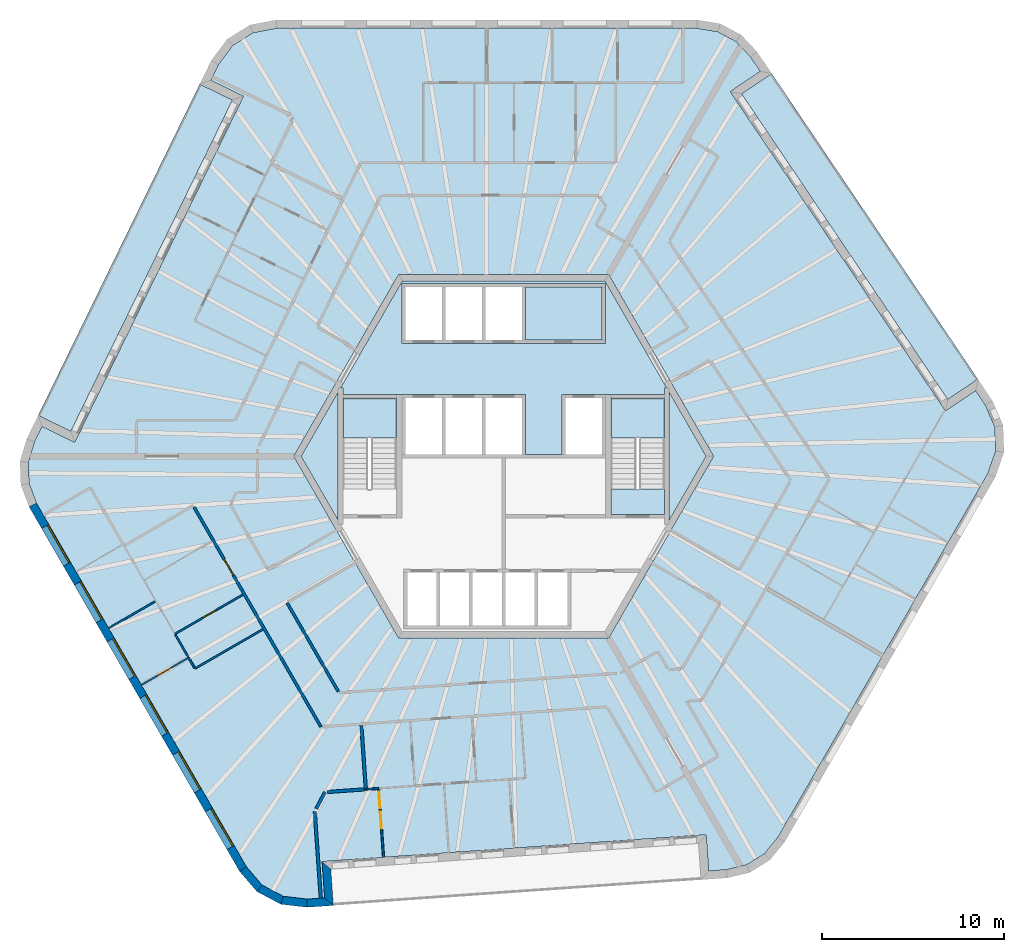
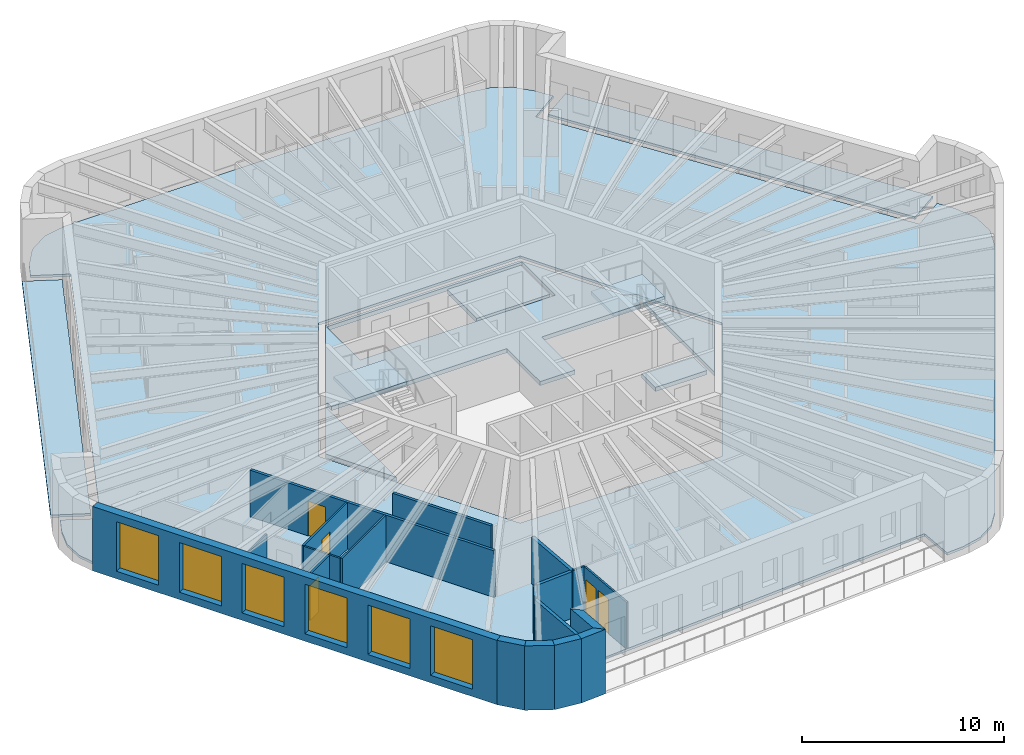
# One storey, part 2 of 11: 20 walls, 10 slabs, 6 windows, 5 doors, 11 openings, 2 elements without a shape of their own.
"""IFC4 building model written with IfcOpenShell, lengths in metres."""

from ifc_helpers import new_model, si_unit, direction, frame, frame_2d, origin, place, context, subcontext, project, spatial, polyline, rectangle, outline, extrude, material, layer, layer_set, type_object, element, fill, aggregate, save


model = new_model("IFC4")

# Units and contexts
model_context = context("Model", 3, precision=1e-05, world=origin(), true_north=direction((0.0, 1.0)))
body_context = subcontext(model_context, "Body", "Model", "MODEL_VIEW")
ifc_project = project(units=[si_unit("LENGTHUNIT", "METRE"), si_unit("AREAUNIT", "SQUARE_METRE"), si_unit("VOLUMEUNIT", "CUBIC_METRE"), si_unit("PLANEANGLEUNIT", "RADIAN"), si_unit("MASSUNIT", "GRAM", prefix="KILO")], contexts=[model_context])

# Site, building, storey
site_placement = place(None, origin())
site = spatial("IfcSite", under=ifc_project, at=site_placement, CompositionType="ELEMENT")
building_placement = place(site_placement, origin())
building = spatial("IfcBuilding", under=site, at=building_placement, Name="Tarnside Tower", CompositionType="ELEMENT")
storey_placement = place(building_placement, frame((0.0, 0.0, 365.10009765625)))
storey = spatial("IfcBuildingStorey", under=building, at=storey_placement, Name="L88", CompositionType="ELEMENT", Elevation=365.10009765625)

# Slabs
ifc_material_1 = material(Name="Concrete C35/45", Category="concrete")
ifc_layer_1 = layer(ifc_material_1, 0.14990234375)
ifc_layer_set_1 = layer_set([ifc_layer_1], Name="Composite floor slab 150")
slab_type_1 = type_object("IfcSlabType", Name="Composite floor slab 150", PredefinedType="FLOOR", material=ifc_layer_set_1)
slab_1_placement = place(storey_placement, frame((0.0, 0.0, -0.150146484375)))
element("IfcSlab", 1, at=slab_1_placement, inside=storey, type_object=slab_type_1, Name="Floor slab L88", PredefinedType="FLOOR", context=body_context, shape_type="SweptSolid", body=[
    extrude(outline(polyline([(11.769287109375, 23.3603515625), (12.785400390625, 22.8203125), (13.58740234375, 21.969970703125), (14.12255859375, 21.1767578125), (12.46435546875, 20.058349609375), (24.30908203125, 2.498046875), (25.967041015625, 3.616455078125), (26.50048828125, 2.82568359375), (27.02880859375, 1.6005859375), (27.07470703125, 0.288818359375), (26.633056640625, -0.97021484375), (15.0869140625, -20.968505859375), (14.345947265625, -21.872802734375), (13.370361328125, -22.482421875), (12.232666015625, -22.752197265625), (11.2783203125, -22.81884765625), (11.138916015625, -20.82373046875), (-9.9912109375, -22.30126953125), (-9.8515625, -24.29638671875), (-10.80322265625, -24.36279296875), (-12.12841796875, -24.2080078125), (-13.287353515625, -23.591796875), (-14.15673828125, -22.579833984375), (-25.702880859375, -2.581298828125), (-26.115478515625, -1.487548828125), (-26.155517578125, -0.337890625), (-25.8203125, 0.7822265625), (-25.40087890625, 1.64208984375), (-23.603271484375, 0.765380859375), (-14.31787109375, 19.80322265625), (-16.115478515625, 20.679931640625), (-15.697265625, 21.537353515625), (-14.900634765625, 22.607421875), (-13.787353515625, 23.302978515625), (-12.476318359375, 23.550048828125), (10.61572265625, 23.550048828125), (11.769287109375, 23.3603515625)]), holes=[polyline([(-11.547119140625, 0.0), (-5.7734375, -10.0), (5.7734375, -10.0), (11.547119140625, 0.0), (5.7734375, 10.0), (-5.7734375, 10.0), (-11.547119140625, 0.0)])]), origin(), (0.0, 0.0, 1.0), 0.150146484375),
])
ifc_material_2 = material(Name="Concrete C40/50", Category="concrete")
ifc_layer_2 = layer(ifc_material_2, 0.25)
ifc_layer_set_2 = layer_set([ifc_layer_2], Name="Core slab C40/50")
slab_type_2 = type_object("IfcSlabType", Name="Core slab C40/50", PredefinedType="FLOOR", material=ifc_layer_set_2)
slab_2_placement = place(storey_placement, frame((0.0, 0.0, -0.25)))
element("IfcSlab", 2, at=slab_2_placement, inside=storey, type_object=slab_type_2, Name="L88 core floor slab 1", PredefinedType="FLOOR", context=body_context, shape_type="SweptSolid", body=[
    extrude(outline(polyline([(5.5712890625, 9.64990234375), (8.97509765625, 3.7548828125), (8.85009765625, 3.7548828125), (8.85009765625, 3.39990234375), (5.89990234375, 3.39990234375), (5.60009765625, 3.39990234375), (3.39990234375, 3.39990234375), (3.199951171875, 3.39990234375), (3.199951171875, 0.10009765625), (1.199951171875, 0.10009765625), (1.199951171875, 3.39990234375), (1.0, 3.39990234375), (-5.60009765625, 3.39990234375), (-5.89990234375, 3.39990234375), (-8.85009765625, 3.39990234375), (-8.85009765625, 3.7548828125), (-8.97509765625, 3.7548828125), (-5.5712890625, 9.64990234375), (5.5712890625, 9.64990234375)]), holes=[polyline([(-5.60009765625, 6.199951171875), (5.60009765625, 6.199951171875), (5.60009765625, 6.39990234375), (5.60009765625, 9.300048828125), (5.60009765625, 9.5), (-5.60009765625, 9.5), (-5.60009765625, 9.300048828125), (-5.60009765625, 6.39990234375), (-5.60009765625, 6.199951171875)])]), origin(), (0.0, 0.0, 1.0), 0.25),
])
slab_3_placement = place(storey_placement, frame((0.0, 0.0, -0.25)))
element("IfcSlab", 3, at=slab_3_placement, inside=storey, type_object=slab_type_2, Name="L88 core floor slab 2", PredefinedType="FLOOR", context=body_context, shape_type="SweptSolid", body=[
    extrude(outline(polyline([(-9.10009765625, -3.538330078125), (-11.142822265625, 0.0), (-9.10009765625, 3.538330078125), (-9.10009765625, -3.538330078125)])), origin(), (0.0, 0.0, 1.0), 0.25),
])
slab_4_placement = place(storey_placement, frame((0.0, 0.0, -0.25)))
element("IfcSlab", 4, at=slab_4_placement, inside=storey, type_object=slab_type_2, Name="L88 core floor slab 4", PredefinedType="FLOOR", context=body_context, shape_type="SweptSolid", body=[
    extrude(outline(polyline([(9.10009765625, 3.538330078125), (11.142822265625, 0.0), (9.10009765625, -3.538330078125), (9.10009765625, 3.538330078125)])), origin(), (0.0, 0.0, 1.0), 0.25),
])
slab_5_placement = place(storey_placement, frame((0.0, 0.0, -0.25)))
element("IfcSlab", 5, at=slab_5_placement, inside=storey, type_object=slab_type_2, Name="L88 core floor slab 6", PredefinedType="FLOOR", context=body_context, shape_type="SweptSolid", body=[
    extrude(outline(polyline([(5.89990234375, -1.800048828125), (8.85009765625, -1.800048828125), (8.85009765625, -3.199951171875), (5.89990234375, -3.199951171875), (5.89990234375, -1.800048828125)])), origin(), (0.0, 0.0, 1.0), 0.25),
])
slab_6_placement = place(storey_placement, frame((0.0, 0.0, -0.25)))
element("IfcSlab", 6, at=slab_6_placement, inside=storey, type_object=slab_type_2, Name="L88 core floor slab 7", PredefinedType="FLOOR", context=body_context, shape_type="SweptSolid", body=[
    extrude(outline(polyline([(5.39990234375, 6.39990234375), (1.199951171875, 6.39990234375), (1.199951171875, 9.300048828125), (5.39990234375, 9.300048828125), (5.39990234375, 6.39990234375)])), origin(), (0.0, 0.0, 1.0), 0.25),
])
ifc_material_3 = material(Name="Timber decking", Category="wood")
ifc_layer_3 = layer(ifc_material_3, 0.0400390625)
ifc_material_4 = material(Name="Concrete C60/75 precast", Category="concrete")
ifc_layer_4 = layer(ifc_material_4, 0.110107421875)
ifc_layer_set_3 = layer_set([ifc_layer_3, ifc_layer_4], Name="Loggia deck 150")
slab_type_3 = type_object("IfcSlabType", Name="Loggia deck 150", PredefinedType="FLOOR", material=ifc_layer_set_3)
slab_7_placement = place(storey_placement, frame((0.0, 0.0, -0.150146484375)))
element("IfcSlab", 7, at=slab_7_placement, inside=storey, type_object=slab_type_3, Name="Loggia deck L88 F2", PredefinedType="FLOOR", context=body_context, shape_type="SweptSolid", body=[
    extrude(outline(polyline([(-14.919677734375, 19.595947265625), (-23.810546875, 1.366943359375), (-25.608154296875, 2.24365234375), (-16.71728515625, 20.47265625), (-14.919677734375, 19.595947265625)])), origin(), (0.0, 0.0, 1.0), 0.150146484375),
])
slab_8_placement = place(storey_placement, frame((0.0, 0.0, -0.150146484375)))
element("IfcSlab", 8, at=slab_8_placement, inside=storey, type_object=slab_type_3, Name="Loggia deck L88 F6", PredefinedType="FLOOR", context=body_context, shape_type="SweptSolid", body=[
    extrude(outline(polyline([(24.430419921875, 3.122802734375), (13.089111328125, 19.93701171875), (14.7470703125, 21.055419921875), (26.088623046875, 4.2412109375), (24.430419921875, 3.122802734375)])), origin(), (0.0, 0.0, 1.0), 0.150146484375),
])

# Stair, slab
stair_type = type_object("IfcStairType", Name="Exit stair 1400 clear", PredefinedType="HALF_TURN_STAIR", material=ifc_material_2)
stair_1_placement = place(storey_placement, origin())
stair_1 = element("IfcStair", 9, at=stair_1_placement, inside=storey, type_object=stair_type, Name="L88 Exit stair 1", PredefinedType="HALF_TURN_STAIR")
ifc_layer_5 = layer(ifc_material_2, 0.199951171875)
ifc_layer_set_4 = layer_set([ifc_layer_5], Name="Stair landing 200 C40/50")
slab_type_4 = type_object("IfcSlabType", Name="Stair landing 200 C40/50", PredefinedType="LANDING", material=ifc_layer_set_4)
slab_9_placement = place(storey_placement, frame((0.0, 0.0, 1.75)))
slab_9 = element("IfcSlab", 10, at=slab_9_placement, type_object=slab_type_4, Name="ST1 landing 1", PredefinedType="LANDING", context=body_context, shape_type="SweptSolid", body=[
    extrude(outline(polyline([(8.85009765625, 1.0), (8.85009765625, 3.199951171875), (5.89990234375, 3.199951171875), (5.89990234375, 1.0), (8.85009765625, 1.0)])), origin(), (0.0, 0.0, 1.0), 0.199951171875),
])
aggregate(stair_1, [slab_9])

stair_2_placement = place(storey_placement, origin())
stair_2 = element("IfcStair", 11, at=stair_2_placement, inside=storey, type_object=stair_type, Name="L88 Exit stair 2", PredefinedType="HALF_TURN_STAIR")
slab_10_placement = place(storey_placement, frame((0.0, 0.0, 1.75)))
slab_10 = element("IfcSlab", 12, at=slab_10_placement, type_object=slab_type_4, Name="ST2 landing 1", PredefinedType="LANDING", context=body_context, shape_type="SweptSolid", body=[
    extrude(outline(polyline([(-5.89990234375, 1.0), (-5.89990234375, 3.199951171875), (-8.85009765625, 3.199951171875), (-8.85009765625, 1.0), (-5.89990234375, 1.0)])), origin(), (0.0, 0.0, 1.0), 0.199951171875),
])
aggregate(stair_2, [slab_10])

# Walls
ifc_material_5 = material(Name="Gypsum board partition on steel studs", Category="steel")
ifc_layer_6 = layer(ifc_material_5, 0.10009765625)
ifc_layer_set_5 = layer_set([ifc_layer_6], Name="Bathroom wall 100")
wall_type_1 = type_object("IfcWallType", Name="Bathroom wall 100", PredefinedType="PARTITIONING", material=ifc_layer_set_5)
wall_1_placement = place(storey_placement, frame((-13.238525390625, -9.52001953125, 0.0), z_axis=(0.0, 0.0, 1.0), x_axis=(-0.866018262327, -0.500012369163, 0.0)))
element("IfcWall", 13, at=wall_1_placement, inside=storey, type_object=wall_type_1, Name="Bathroom wall 28101", PredefinedType="PARTITIONING", context=body_context, shape_type="SweptSolid", body=[
    extrude(rectangle(XDim=4.3251953125, YDim=0.10009765625, at=frame_2d((2.16259765625, 0.0))), origin(), (0.0, 0.0, 1.0), 2.81982421875),
])
wall_2_placement = place(storey_placement, frame((-17.00927734375, -11.63916015625, 0.0), z_axis=(0.0, 0.0, 1.0), x_axis=(-0.499962526042, 0.866047038303, 0.0)))
element("IfcWall", 14, at=wall_2_placement, inside=storey, type_object=wall_type_1, Name="Bathroom wall 28102", PredefinedType="PARTITIONING", context=body_context, shape_type="SweptSolid", body=[
    extrude(rectangle(XDim=0.6455078125, YDim=0.10009765625, at=frame_2d((0.32275390625, 0.0))), origin(), (0.0, 0.0, 1.0), 2.81982421875),
])

# Wall, opening, door
wall_3_placement = place(storey_placement, frame((-18.084228515625, -9.77734375, 0.0), z_axis=(0.0, 0.0, 1.0), x_axis=(0.866018262327, 0.500012369163, 0.0)))
wall_3 = element("IfcWall", 15, at=wall_3_placement, inside=storey, type_object=wall_type_1, Name="Bathroom wall 28110", PredefinedType="PARTITIONING", context=body_context, shape_type="SweptSolid", body=[
    extrude(rectangle(XDim=4.3251953125, YDim=0.10009765625, at=frame_2d((2.16259765625, 0.0))), origin(), (0.0, 0.0, 1.0), 2.81982421875),
])
opening_1_placement = place(wall_3_placement, frame((1.800048828125, 0.0, 0.0)))
opening_1 = element("IfcOpeningElement", 16, at=opening_1_placement, cuts=wall_3, Name="Opening D-B1", PredefinedType="OPENING", context=body_context, shape_type="SweptSolid", body=[
    extrude(rectangle(XDim=0.800048828125, YDim=2.10009765625, at=frame_2d((0.39990234375, 1.050048828125))), frame((0.0, 0.06005859375, 0.0), z_axis=(0.0, -1.0, 0.0), x_axis=(1.0, 0.0, 0.0)), (0.0, 0.0, 1.0), 0.1201171875),
])
ifc_material_6 = material(Name="Timber door leaf", Category="wood")
door_type_1 = type_object("IfcDoorType", Name="Bathroom door 800", OperationType="NOTDEFINED", PredefinedType="DOOR", material=ifc_material_6)
door_1_placement = place(opening_1_placement, origin())
door_1 = element("IfcDoor", 17, at=door_1_placement, inside=storey, type_object=door_type_1, Name="Bathroom door 28038", OperationType="SINGLE_SWING_LEFT", OverallHeight=2.10009765625, OverallWidth=0.800048828125, PredefinedType="DOOR", context=body_context, shape_type="SweptSolid", body=[
    extrude(rectangle(XDim=0.800048828125, YDim=2.10009765625, at=frame_2d((0.39990234375, 1.050048828125))), frame((0.0, 0.02490234375, 0.0), z_axis=(0.0, -1.0, 0.0), x_axis=(1.0, 0.0, 0.0)), (0.0, 0.0, 1.0), 0.050048828125),
])
fill(opening_1, door_1)

# Walls
wall_4_placement = place(storey_placement, frame((-17.330078125, -11.08349609375, 0.0), z_axis=(0.0, 0.0, 1.0), x_axis=(-0.499920521767, 0.866071285701, 0.0)))
element("IfcWall", 18, at=wall_4_placement, inside=storey, type_object=wall_type_1, Name="Bathroom wall 28114", PredefinedType="PARTITIONING", context=body_context, shape_type="SweptSolid", body=[
    extrude(rectangle(XDim=1.458251953125, YDim=0.10009765625, at=frame_2d((0.72900390625, 0.0))), origin(), (0.0, 0.0, 1.0), 2.81982421875),
])
wall_5_placement = place(storey_placement, frame((-7.584228515625, -18.32373046875, 0.0), z_axis=(0.0, 0.0, 1.0), x_axis=(0.997553473746, 0.06990756051, 0.0)))
element("IfcWall", 19, at=wall_5_placement, inside=storey, type_object=wall_type_1, Name="Bathroom wall 28122", PredefinedType="PARTITIONING", context=body_context, shape_type="SweptSolid", body=[
    extrude(rectangle(XDim=0.71240234375, YDim=0.10009765625, at=frame_2d((0.356201171875, 0.0))), origin(), (0.0, 0.0, 1.0), 2.81982421875),
])

# Wall, opening, door
ifc_layer_7 = layer(ifc_material_5, 0.14990234375)
ifc_layer_set_6 = layer_set([ifc_layer_7], Name="Corridor wall 150 EI 60")
wall_type_2 = type_object("IfcWallType", Name="Corridor wall 150 EI 60", PredefinedType="PARTITIONING", material=ifc_layer_set_6)
wall_6_placement = place(storey_placement, frame((-17.0361328125, -2.79248046875, 0.0), z_axis=(0.0, 0.0, 1.0), x_axis=(0.500006428338, -0.86602169235, 0.0)))
wall_6 = element("IfcWall", 20, at=wall_6_placement, inside=storey, type_object=wall_type_2, Name="Corridor wall 28026", PredefinedType="PARTITIONING", context=body_context, shape_type="SweptSolid", body=[
    extrude(rectangle(XDim=13.966064453125, YDim=0.14990234375, at=frame_2d((6.98291015625, 0.0))), origin(), (0.0, 0.0, 1.0), 2.81982421875),
])
opening_2_placement = place(wall_6_placement, frame((3.324951171875, 0.0, 0.0)))
opening_2 = element("IfcOpeningElement", 21, at=opening_2_placement, cuts=wall_6, Name="Opening D-E1", PredefinedType="OPENING", context=body_context, shape_type="SweptSolid", body=[
    extrude(rectangle(XDim=1.0, YDim=2.10009765625, at=frame_2d((0.5, 1.050048828125))), frame((0.0, 0.0849609375, 0.0), z_axis=(0.0, -1.0, 0.0), x_axis=(1.0, 0.0, 0.0)), (0.0, 0.0, 1.0), 0.169921875),
])
door_type_2 = type_object("IfcDoorType", Name="Unit entrance door 1000 FD30S", OperationType="NOTDEFINED", PredefinedType="DOOR", material=ifc_material_6)
door_2_placement = place(opening_2_placement, origin())
door_2 = element("IfcDoor", 22, at=door_2_placement, inside=storey, type_object=door_type_2, Name="Unit door 28026", OperationType="SINGLE_SWING_RIGHT", OverallHeight=2.10009765625, OverallWidth=1.0, PredefinedType="DOOR", context=body_context, shape_type="SweptSolid", body=[
    extrude(rectangle(XDim=1.0, YDim=2.10009765625, at=frame_2d((0.5, 1.050048828125))), frame((0.0, 0.02490234375, 0.0), z_axis=(0.0, -1.0, 0.0), x_axis=(1.0, 0.0, 0.0)), (0.0, 0.0, 1.0), 0.050048828125),
])
fill(opening_2, door_2)

# Walls
wall_7_placement = place(storey_placement, frame((-9.098388671875, -12.941162109375, 0.0), z_axis=(0.0, 0.0, 1.0), x_axis=(-0.500009875128, 0.866019702301, 0.0)))
element("IfcWall", 23, at=wall_7_placement, inside=storey, type_object=wall_type_2, Name="Corridor wall 28047", PredefinedType="PARTITIONING", context=body_context, shape_type="SweptSolid", body=[
    extrude(rectangle(XDim=5.63720703125, YDim=0.14990234375, at=frame_2d((2.818603515625, 0.0))), origin(), (0.0, 0.0, 1.0), 2.81982421875),
])
ifc_layer_8 = layer(ifc_material_5, 0.179931640625)
ifc_layer_set_7 = layer_set([ifc_layer_8], Name="Demising wall 180 EI 60")
wall_type_3 = type_object("IfcWallType", Name="Demising wall 180 EI 60", PredefinedType="PARTITIONING", material=ifc_layer_set_7)
wall_8_placement = place(storey_placement, frame((-7.582275390625, -18.323486328125, 0.0), z_axis=(0.0, 0.0, 1.0), x_axis=(-0.069745730407, 0.997564801449, 0.0)))
element("IfcWall", 24, at=wall_8_placement, inside=storey, type_object=wall_type_3, Name="Demising wall 28103", PredefinedType="PARTITIONING", context=body_context, shape_type="SweptSolid", body=[
    extrude(rectangle(XDim=3.52490234375, YDim=0.179931640625, at=frame_2d((1.762451171875, 0.0))), origin(), (0.0, 0.0, 1.0), 2.81982421875),
])
wall_9_placement = place(storey_placement, frame((-10.060302734375, -24.31103515625, 0.0), z_axis=(0.0, 0.0, 1.0), x_axis=(-0.069731958306, 0.997565764244, 0.0)))
element("IfcWall", 25, at=wall_9_placement, inside=storey, type_object=wall_type_3, Name="Demising wall 28104", PredefinedType="PARTITIONING", context=body_context, shape_type="SweptSolid", body=[
    extrude(rectangle(XDim=4.775634765625, YDim=0.179931640625, at=frame_2d((2.3876953125, 0.0))), origin(), (0.0, 0.0, 1.0), 2.81982421875),
])
wall_10_placement = place(storey_placement, frame((-10.313720703125, -19.397216796875, 0.0), z_axis=(0.0, 0.0, 1.0), x_axis=(0.469550580753, 0.882905573725, 0.0)))
element("IfcWall", 26, at=wall_10_placement, inside=storey, type_object=wall_type_3, Name="Demising wall 28105", PredefinedType="PARTITIONING", context=body_context, shape_type="SweptSolid", body=[
    extrude(rectangle(XDim=1.038330078125, YDim=0.179931640625, at=frame_2d((0.51904296875, 0.0))), origin(), (0.0, 0.0, 1.0), 2.81982421875),
])
wall_11_placement = place(storey_placement, frame((-9.720458984375, -18.47314453125, 0.0), z_axis=(0.0, 0.0, 1.0), x_axis=(0.997561859931, 0.069787789844, 0.0)))
element("IfcWall", 27, at=wall_11_placement, inside=storey, type_object=wall_type_3, Name="Demising wall 28106", PredefinedType="PARTITIONING", context=body_context, shape_type="SweptSolid", body=[
    extrude(rectangle(XDim=2.05712890625, YDim=0.179931640625, at=frame_2d((1.028564453125, 0.0))), origin(), (0.0, 0.0, 1.0), 2.81982421875),
])
ifc_material_7 = material(Name="Dark zinc cladding")
ifc_layer_9 = layer(ifc_material_7, 0.10205078125)
ifc_layer_10 = layer(ifc_material_4, 0.248046875)
ifc_material_8 = material(Name="Mineral wool insulation")
ifc_layer_11 = layer(ifc_material_8, 0.10009765625)
ifc_layer_set_8 = layer_set([ifc_layer_9, ifc_layer_10, ifc_layer_11], Name="Loggia wall 450 zinc faced")
wall_type_4 = type_object("IfcWallType", Name="Loggia wall 450 zinc faced", PredefinedType="SOLIDWALL", material=ifc_layer_set_8)
wall_12_placement = place(storey_placement, frame((-10.80859375, -24.5888671875, -0.150146484375), z_axis=(0.0, 0.0, 1.0), x_axis=(0.997562933087, 0.069772448216, 0.0)))
element("IfcWall", 28, at=wall_12_placement, inside=storey, type_object=wall_type_4, Name="Tube wall L88 F4 stub 16", PredefinedType="SOLIDWALL", context=body_context, shape_type="SweptSolid", body=[
    extrude(outline(polyline([(-0.02099609375, -0.22509765625), (1.42529296875, -0.22509765625), (0.97509765625, 0.22509765625), (0.02099609375, 0.22509765625), (-0.02099609375, -0.22509765625)])), origin(), (0.0, 0.0, 1.0), 3.900146484375),
])
wall_13_placement = place(storey_placement, frame((-9.611328125, -24.505126953125, -0.150146484375), z_axis=(0.0, 0.0, 1.0), x_axis=(-0.069824268692, 0.99755930726, 0.0)))
element("IfcWall", 29, at=wall_13_placement, inside=storey, type_object=wall_type_4, Name="Tube wall L88 F4 return 17", PredefinedType="SOLIDWALL", context=body_context, shape_type="SweptSolid", body=[
    extrude(outline(polyline([(-0.224853515625, -0.22509765625), (1.77490234375, -0.22509765625), (2.22509765625, 0.22509765625), (0.224853515625, 0.22509765625), (-0.224853515625, -0.22509765625)])), origin(), (0.0, 0.0, 1.0), 3.900146484375),
])

# Wall, opening, door
ifc_layer_12 = layer(ifc_material_5, 0.10009765625)
ifc_layer_set_9 = layer_set([ifc_layer_12], Name="Partition 100")
wall_type_5 = type_object("IfcWallType", Name="Partition 100", PredefinedType="PARTITIONING", material=ifc_layer_set_9)
wall_14_placement = place(storey_placement, frame((-17.374267578125, -11.106689453125, 0.0), z_axis=(0.0, 0.0, 1.0), x_axis=(-0.866024349092, -0.500001826776, 0.0)))
wall_14 = element("IfcWall", 30, at=wall_14_placement, inside=storey, type_object=wall_type_5, Name="Partition wall 28100", PredefinedType="PARTITIONING", context=body_context, shape_type="SweptSolid", body=[
    extrude(rectangle(XDim=2.9501953125, YDim=0.10009765625, at=frame_2d((1.47509765625, 0.0))), origin(), (0.0, 0.0, 1.0), 2.81982421875),
])
opening_3_placement = place(wall_14_placement, frame((1.02490234375, 0.0, 0.0)))
opening_3 = element("IfcOpeningElement", 31, at=opening_3_placement, cuts=wall_14, Name="Opening D-I1", PredefinedType="OPENING", context=body_context, shape_type="SweptSolid", body=[
    extrude(rectangle(XDim=0.89990234375, YDim=2.10009765625, at=frame_2d((0.449951171875, 1.050048828125))), frame((0.0, 0.06005859375, 0.0), z_axis=(0.0, -1.0, 0.0), x_axis=(1.0, 0.0, 0.0)), (0.0, 0.0, 1.0), 0.1201171875),
])
door_type_3 = type_object("IfcDoorType", Name="Internal door 900", OperationType="NOTDEFINED", PredefinedType="DOOR", material=ifc_material_6)
door_3_placement = place(opening_3_placement, origin())
door_3 = element("IfcDoor", 32, at=door_3_placement, inside=storey, type_object=door_type_3, Name="Internal door 28062", OperationType="SINGLE_SWING_LEFT", OverallHeight=2.10009765625, OverallWidth=0.89990234375, PredefinedType="DOOR", context=body_context, shape_type="SweptSolid", body=[
    extrude(rectangle(XDim=0.89990234375, YDim=2.10009765625, at=frame_2d((0.449951171875, 1.050048828125))), frame((0.0, 0.02490234375, 0.0), z_axis=(0.0, -1.0, 0.0), x_axis=(1.0, 0.0, 0.0)), (0.0, 0.0, 1.0), 0.050048828125),
])
fill(opening_3, door_3)

# Wall
wall_15_placement = place(storey_placement, frame((-21.72900390625, -9.464111328125, 0.0), z_axis=(0.0, 0.0, 1.0), x_axis=(0.866003658127, 0.500037662692, 0.0)))
element("IfcWall", 33, at=wall_15_placement, inside=storey, type_object=wall_type_5, Name="Partition wall 28113", PredefinedType="PARTITIONING", context=body_context, shape_type="SweptSolid", body=[
    extrude(rectangle(XDim=2.949951171875, YDim=0.10009765625, at=frame_2d((1.47509765625, 0.0))), origin(), (0.0, 0.0, 1.0), 2.81982421875),
])

# Wall, openings, doors
wall_16_placement = place(storey_placement, frame((-6.608642578125, -22.064697265625, 0.0), z_axis=(0.0, 0.0, 1.0), x_axis=(-0.069729351823, 0.997565946439, 0.0)))
wall_16 = element("IfcWall", 34, at=wall_16_placement, inside=storey, type_object=wall_type_5, Name="Partition wall 28124", PredefinedType="PARTITIONING", context=body_context, shape_type="SweptSolid", body=[
    extrude(rectangle(XDim=3.749755859375, YDim=0.10009765625, at=frame_2d((1.875, 0.0))), origin(), (0.0, 0.0, 1.0), 2.81982421875),
])
opening_4_placement = place(wall_16_placement, frame((2.699951171875, 0.0, 0.0)))
opening_4 = element("IfcOpeningElement", 35, at=opening_4_placement, cuts=wall_16, Name="Opening D-I1", PredefinedType="OPENING", context=body_context, shape_type="SweptSolid", body=[
    extrude(rectangle(XDim=0.89990234375, YDim=2.10009765625, at=frame_2d((0.449951171875, 1.050048828125))), frame((0.0, 0.06005859375, 0.0), z_axis=(0.0, -1.0, 0.0), x_axis=(1.0, 0.0, 0.0)), (0.0, 0.0, 1.0), 0.1201171875),
])
opening_5_placement = place(wall_16_placement, frame((1.60009765625, 0.0, 0.0)))
opening_5 = element("IfcOpeningElement", 36, at=opening_5_placement, cuts=wall_16, Name="Opening D-I1", PredefinedType="OPENING", context=body_context, shape_type="SweptSolid", body=[
    extrude(rectangle(XDim=0.89990234375, YDim=2.10009765625, at=frame_2d((0.449951171875, 1.050048828125))), frame((0.0, 0.06005859375, 0.0), z_axis=(0.0, -1.0, 0.0), x_axis=(1.0, 0.0, 0.0)), (0.0, 0.0, 1.0), 0.1201171875),
])
door_4_placement = place(opening_4_placement, origin())
door_4 = element("IfcDoor", 37, at=door_4_placement, inside=storey, type_object=door_type_3, Name="Internal door 28046", OperationType="SINGLE_SWING_RIGHT", OverallHeight=2.10009765625, OverallWidth=0.89990234375, PredefinedType="DOOR", context=body_context, shape_type="SweptSolid", body=[
    extrude(rectangle(XDim=0.89990234375, YDim=2.10009765625, at=frame_2d((0.449951171875, 1.050048828125))), frame((0.0, 0.02490234375, 0.0), z_axis=(0.0, -1.0, 0.0), x_axis=(1.0, 0.0, 0.0)), (0.0, 0.0, 1.0), 0.050048828125),
])
fill(opening_4, door_4)
door_5_placement = place(opening_5_placement, origin())
door_5 = element("IfcDoor", 38, at=door_5_placement, inside=storey, type_object=door_type_3, Name="Internal door 28049", OperationType="SINGLE_SWING_LEFT", OverallHeight=2.10009765625, OverallWidth=0.89990234375, PredefinedType="DOOR", context=body_context, shape_type="SweptSolid", body=[
    extrude(rectangle(XDim=0.89990234375, YDim=2.10009765625, at=frame_2d((0.449951171875, 1.050048828125))), frame((0.0, 0.02490234375, 0.0), z_axis=(0.0, -1.0, 0.0), x_axis=(1.0, 0.0, 0.0)), (0.0, 0.0, 1.0), 0.050048828125),
])
fill(opening_5, door_5)

# Wall, openings, windows
ifc_material_9 = material(Name="Facing brick", Category="masonry")
ifc_layer_13 = layer(ifc_material_9, 0.10205078125)
ifc_layer_14 = layer(ifc_material_4, 0.248046875)
ifc_layer_15 = layer(ifc_material_8, 0.10009765625)
ifc_layer_set_10 = layer_set([ifc_layer_13, ifc_layer_14, ifc_layer_15], Name="Tube wall 450 brick faced")
wall_type_6 = type_object("IfcWallType", Name="Tube wall 450 brick faced", PredefinedType="SOLIDWALL", material=ifc_layer_set_10)
wall_17_placement = place(storey_placement, frame((-25.90673828125, -2.677978515625, -0.150146484375), z_axis=(0.0, 0.0, 1.0), x_axis=(0.499997453958, -0.866026873738, 0.0)))
wall_17 = element("IfcWall", 39, at=wall_17_placement, inside=storey, type_object=wall_type_6, Name="Tube wall L88 F3 flush 12", PredefinedType="SOLIDWALL", context=body_context, shape_type="SweptSolid", body=[
    extrude(outline(polyline([(-0.018310546875, -0.22509765625), (23.15234375, -0.22509765625), (23.1103515625, 0.22509765625), (0.018310546875, 0.22509765625), (-0.018310546875, -0.22509765625)])), origin(), (0.0, 0.0, 1.0), 3.900146484375),
])
opening_6_placement = place(wall_17_placement, frame((1.36572265625, 0.0, 0.449951171875)))
opening_6 = element("IfcOpeningElement", 40, at=opening_6_placement, cuts=wall_17, Name="Opening WP", PredefinedType="OPENING", context=body_context, shape_type="SweptSolid", body=[
    extrude(rectangle(XDim=2.39990234375, YDim=3.0, at=frame_2d((1.199951171875, 1.5))), frame((0.0, 0.23486328125, 0.0), z_axis=(0.0, -1.0, 0.0), x_axis=(1.0, 0.0, 0.0)), (0.0, 0.0, 1.0), 0.469970703125),
])
opening_7_placement = place(wall_17_placement, frame((4.9658203125, 0.0, 0.449951171875)))
opening_7 = element("IfcOpeningElement", 41, at=opening_7_placement, cuts=wall_17, Name="Opening WP", PredefinedType="OPENING", context=body_context, shape_type="SweptSolid", body=[
    extrude(rectangle(XDim=2.39990234375, YDim=3.0, at=frame_2d((1.199951171875, 1.5))), frame((0.0, 0.23486328125, 0.0), z_axis=(0.0, -1.0, 0.0), x_axis=(1.0, 0.0, 0.0)), (0.0, 0.0, 1.0), 0.469970703125),
])
opening_8_placement = place(wall_17_placement, frame((8.56591796875, 0.0, 0.449951171875)))
opening_8 = element("IfcOpeningElement", 42, at=opening_8_placement, cuts=wall_17, Name="Opening WP", PredefinedType="OPENING", context=body_context, shape_type="SweptSolid", body=[
    extrude(rectangle(XDim=2.39990234375, YDim=3.0, at=frame_2d((1.199951171875, 1.5))), frame((0.0, 0.23486328125, 0.0), z_axis=(0.0, -1.0, 0.0), x_axis=(1.0, 0.0, 0.0)), (0.0, 0.0, 1.0), 0.469970703125),
])
opening_9_placement = place(wall_17_placement, frame((12.165771484375, 0.0, 0.449951171875)))
opening_9 = element("IfcOpeningElement", 43, at=opening_9_placement, cuts=wall_17, Name="Opening WP", PredefinedType="OPENING", context=body_context, shape_type="SweptSolid", body=[
    extrude(rectangle(XDim=2.39990234375, YDim=3.0, at=frame_2d((1.199951171875, 1.5))), frame((0.0, 0.23486328125, 0.0), z_axis=(0.0, -1.0, 0.0), x_axis=(1.0, 0.0, 0.0)), (0.0, 0.0, 1.0), 0.469970703125),
])
opening_10_placement = place(wall_17_placement, frame((15.765869140625, 0.0, 0.449951171875)))
opening_10 = element("IfcOpeningElement", 44, at=opening_10_placement, cuts=wall_17, Name="Opening WP", PredefinedType="OPENING", context=body_context, shape_type="SweptSolid", body=[
    extrude(rectangle(XDim=2.39990234375, YDim=3.0, at=frame_2d((1.199951171875, 1.5))), frame((0.0, 0.23486328125, 0.0), z_axis=(0.0, -1.0, 0.0), x_axis=(1.0, 0.0, 0.0)), (0.0, 0.0, 1.0), 0.469970703125),
])
opening_11_placement = place(wall_17_placement, frame((19.36572265625, 0.0, 0.449951171875)))
opening_11 = element("IfcOpeningElement", 45, at=opening_11_placement, cuts=wall_17, Name="Opening WP", PredefinedType="OPENING", context=body_context, shape_type="SweptSolid", body=[
    extrude(rectangle(XDim=2.39990234375, YDim=3.0, at=frame_2d((1.199951171875, 1.5))), frame((0.0, 0.23486328125, 0.0), z_axis=(0.0, -1.0, 0.0), x_axis=(1.0, 0.0, 0.0)), (0.0, 0.0, 1.0), 0.469970703125),
])
ifc_material_10 = material(Name="Aluminium-framed double glazing", Category="aluminium")
window_type = type_object("IfcWindowType", Name="Penthouse window 2400 x 3000", PartitioningType="DOUBLE_PANEL_VERTICAL", PredefinedType="WINDOW", material=ifc_material_10)
window_1_placement = place(opening_6_placement, frame((0.0, 0.1552734375, 0.0)))
window_1 = element("IfcWindow", 46, at=window_1_placement, inside=storey, type_object=window_type, Name="E.WN.L88.F3.00", OverallHeight=3.0, OverallWidth=2.39990234375, PartitioningType="DOUBLE_PANEL_VERTICAL", PredefinedType="WINDOW", context=body_context, shape_type="SweptSolid", body=[
    extrude(rectangle(XDim=2.39990234375, YDim=3.0, at=frame_2d((1.199951171875, 1.5))), frame((0.0, 0.030029296875, 0.0), z_axis=(0.0, -1.0, 0.0), x_axis=(1.0, 0.0, 0.0)), (0.0, 0.0, 1.0), 0.06005859375),
])
fill(opening_6, window_1)
window_2_placement = place(opening_7_placement, frame((0.0, 0.1552734375, 0.0)))
window_2 = element("IfcWindow", 47, at=window_2_placement, inside=storey, type_object=window_type, Name="E.WN.L88.F3.01", OverallHeight=3.0, OverallWidth=2.39990234375, PartitioningType="DOUBLE_PANEL_VERTICAL", PredefinedType="WINDOW", context=body_context, shape_type="SweptSolid", body=[
    extrude(rectangle(XDim=2.39990234375, YDim=3.0, at=frame_2d((1.199951171875, 1.5))), frame((0.0, 0.030029296875, 0.0), z_axis=(0.0, -1.0, 0.0), x_axis=(1.0, 0.0, 0.0)), (0.0, 0.0, 1.0), 0.06005859375),
])
fill(opening_7, window_2)
window_3_placement = place(opening_8_placement, frame((0.0, 0.1552734375, 0.0)))
window_3 = element("IfcWindow", 48, at=window_3_placement, inside=storey, type_object=window_type, Name="E.WN.L88.F3.02", OverallHeight=3.0, OverallWidth=2.39990234375, PartitioningType="DOUBLE_PANEL_VERTICAL", PredefinedType="WINDOW", context=body_context, shape_type="SweptSolid", body=[
    extrude(rectangle(XDim=2.39990234375, YDim=3.0, at=frame_2d((1.199951171875, 1.5))), frame((0.0, 0.030029296875, 0.0), z_axis=(0.0, -1.0, 0.0), x_axis=(1.0, 0.0, 0.0)), (0.0, 0.0, 1.0), 0.06005859375),
])
fill(opening_8, window_3)
window_4_placement = place(opening_9_placement, frame((0.0, 0.1552734375, 0.0)))
window_4 = element("IfcWindow", 49, at=window_4_placement, inside=storey, type_object=window_type, Name="E.WN.L88.F3.03", OverallHeight=3.0, OverallWidth=2.39990234375, PartitioningType="DOUBLE_PANEL_VERTICAL", PredefinedType="WINDOW", context=body_context, shape_type="SweptSolid", body=[
    extrude(rectangle(XDim=2.39990234375, YDim=3.0, at=frame_2d((1.199951171875, 1.5))), frame((0.0, 0.030029296875, 0.0), z_axis=(0.0, -1.0, 0.0), x_axis=(1.0, 0.0, 0.0)), (0.0, 0.0, 1.0), 0.06005859375),
])
fill(opening_9, window_4)
window_5_placement = place(opening_10_placement, frame((0.0, 0.1552734375, 0.0)))
window_5 = element("IfcWindow", 50, at=window_5_placement, inside=storey, type_object=window_type, Name="E.WN.L88.F3.04", OverallHeight=3.0, OverallWidth=2.39990234375, PartitioningType="DOUBLE_PANEL_VERTICAL", PredefinedType="WINDOW", context=body_context, shape_type="SweptSolid", body=[
    extrude(rectangle(XDim=2.39990234375, YDim=3.0, at=frame_2d((1.199951171875, 1.5))), frame((0.0, 0.030029296875, 0.0), z_axis=(0.0, -1.0, 0.0), x_axis=(1.0, 0.0, 0.0)), (0.0, 0.0, 1.0), 0.06005859375),
])
fill(opening_10, window_5)
window_6_placement = place(opening_11_placement, frame((0.0, 0.1552734375, 0.0)))
window_6 = element("IfcWindow", 51, at=window_6_placement, inside=storey, type_object=window_type, Name="E.WN.L88.F3.05", OverallHeight=3.0, OverallWidth=2.39990234375, PartitioningType="DOUBLE_PANEL_VERTICAL", PredefinedType="WINDOW", context=body_context, shape_type="SweptSolid", body=[
    extrude(rectangle(XDim=2.39990234375, YDim=3.0, at=frame_2d((1.199951171875, 1.5))), frame((0.0, 0.030029296875, 0.0), z_axis=(0.0, -1.0, 0.0), x_axis=(1.0, 0.0, 0.0)), (0.0, 0.0, 1.0), 0.06005859375),
])
fill(opening_11, window_6)

# Walls
wall_18_placement = place(storey_placement, frame((-14.341064453125, -22.71044921875, -0.150146484375), z_axis=(0.0, 0.0, 1.0), x_axis=(0.651625422694, -0.758540907597, 0.0)))
element("IfcWall", 52, at=wall_18_placement, inside=storey, type_object=wall_type_6, Name="Tube wall L88 F3 chord 13", PredefinedType="SOLIDWALL", context=body_context, shape_type="SweptSolid", body=[
    extrude(outline(polyline([(-0.02099609375, -0.22509765625), (1.43994140625, -0.22509765625), (1.35498046875, 0.22509765625), (0.02099609375, 0.22509765625), (-0.02099609375, -0.22509765625)])), origin(), (0.0, 0.0, 1.0), 3.900146484375),
])
wall_19_placement = place(storey_placement, frame((-13.430419921875, -23.7705078125, -0.150146484375), z_axis=(0.0, 0.0, 1.0), x_axis=(0.882966382564, -0.469436222784, 0.0)))
element("IfcWall", 53, at=wall_19_placement, inside=storey, type_object=wall_type_6, Name="Tube wall L88 F3 chord 14", PredefinedType="SOLIDWALL", context=body_context, shape_type="SweptSolid", body=[
    extrude(outline(polyline([(-0.04248046875, -0.22509765625), (1.43994140625, -0.22509765625), (1.35498046875, 0.22509765625), (0.04248046875, 0.22509765625), (-0.04248046875, -0.22509765625)])), origin(), (0.0, 0.0, 1.0), 3.900146484375),
])
wall_20_placement = place(storey_placement, frame((-12.196533203125, -24.426513671875, -0.150146484375), z_axis=(0.0, 0.0, 1.0), x_axis=(0.993227902261, -0.116182331575, 0.0)))
element("IfcWall", 54, at=wall_20_placement, inside=storey, type_object=wall_type_6, Name="Tube wall L88 F3 chord 15", PredefinedType="SOLIDWALL", context=body_context, shape_type="SweptSolid", body=[
    extrude(outline(polyline([(-0.04248046875, -0.22509765625), (1.41845703125, -0.22509765625), (1.37646484375, 0.22509765625), (0.04248046875, 0.22509765625), (-0.04248046875, -0.22509765625)])), origin(), (0.0, 0.0, 1.0), 3.900146484375),
])

save(model, "model.ifc")
